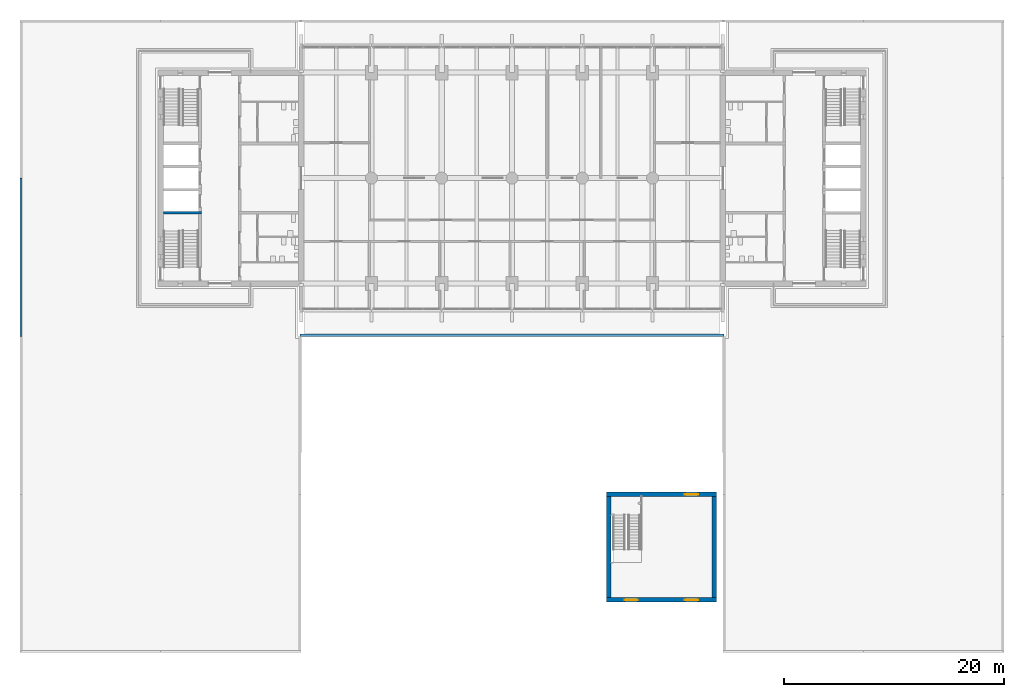
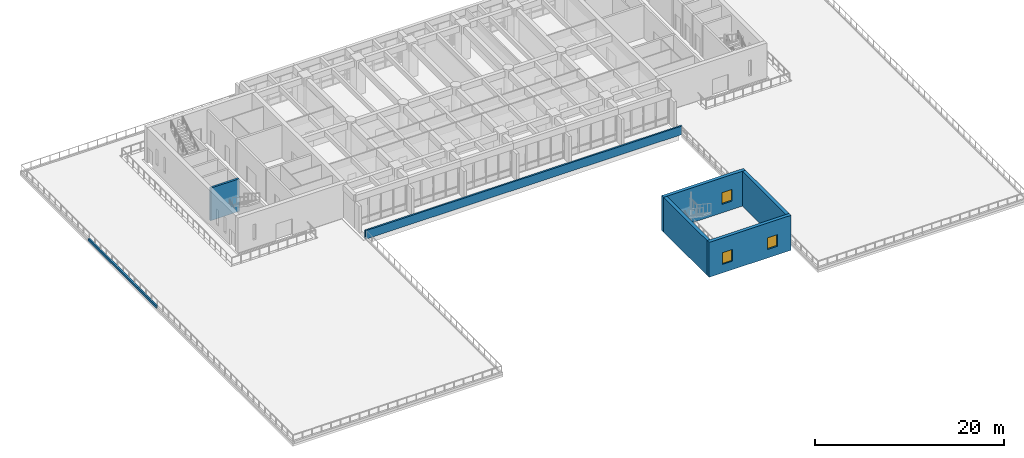
# One storey, part 10 of 21: 7 walls, 3 windows, 3 openings.
"""IFC4 building model written with IfcOpenShell, lengths in metres."""

from ifc_helpers import new_model, si_unit, direction, frame, frame_2d, origin, place, context, subcontext, project, spatial, rectangle, extrude, material, layer, layer_set, type_object, element, fill, save


model = new_model("IFC4")

# Units and contexts
model_context = context("Model", 3, precision=1e-05, world=origin(), true_north=direction((0.0, 1.0)))
body_context = subcontext(model_context, "Body", "Model", "MODEL_VIEW")
ifc_project = project(units=[si_unit("LENGTHUNIT", "METRE"), si_unit("AREAUNIT", "SQUARE_METRE"), si_unit("VOLUMEUNIT", "CUBIC_METRE"), si_unit("PLANEANGLEUNIT", "RADIAN"), si_unit("MASSUNIT", "GRAM", prefix="KILO")], contexts=[model_context])

# Site, building, storey
site_placement = place(None, origin())
site = spatial("IfcSite", under=ifc_project, at=site_placement, CompositionType="ELEMENT")
building_placement = place(site_placement, origin())
building = spatial("IfcBuilding", under=site, at=building_placement, Name="Fogon Plaza Fire Station and Headquarters Tower", CompositionType="ELEMENT")
storey_placement = place(building_placement, frame((0.0, 0.0, 8.39990234375)))
storey = spatial("IfcBuildingStorey", under=building, at=storey_placement, Name="L02", CompositionType="ELEMENT", Elevation=8.39990234375)

# Walls
ifc_material_1 = material(Name="Concrete C40", Category="concrete")
ifc_layer_1 = layer(ifc_material_1, 0.25)
ifc_layer_set_1 = layer_set([ifc_layer_1], Name="Concrete C40")
wall_type_1 = type_object("IfcWallType", Name="Core Wall RC 250", PredefinedType="SOLIDWALL", material=ifc_layer_set_1)
wall_1_placement = place(storey_placement, frame((13.050048828125, 40.050048828125, 0.0), z_axis=(0.0, 0.0, 1.0), x_axis=(1.0, 0.0, 0.0)))
element("IfcWall", 1, at=wall_1_placement, inside=storey, type_object=wall_type_1, Name="Core A shaft wall", PredefinedType="SOLIDWALL", context=body_context, shape_type="SweptSolid", body=[
    extrude(rectangle(XDim=3.474853515625, YDim=0.25, at=frame_2d((1.7373046875, 0.0))), origin(), (0.0, 0.0, 1.0), 4.2001953125),
])
ifc_material_2 = material(Name="Concrete C40", Category="concrete")
ifc_layer_2 = layer(ifc_material_2, 0.199951171875)
ifc_layer_set_2 = layer_set([ifc_layer_2], Name="Concrete C40")
wall_type_2 = type_object("IfcWallType", Name="Fair-faced RC Parapet 200", PredefinedType="PARAPET", material=ifc_layer_set_2)
wall_2_placement = place(storey_placement, frame((25.5, 28.89990234375, 0.0), z_axis=(0.0, 0.0, 1.0), x_axis=(1.0, 0.0, 0.0)))
element("IfcWall", 2, at=wall_2_placement, inside=storey, type_object=wall_type_2, Name="Parapet S", PredefinedType="PARAPET", context=body_context, shape_type="SweptSolid", body=[
    extrude(rectangle(XDim=38.60009765625, YDim=0.199951171875, at=frame_2d((19.300048828125, 0.0))), origin(), (0.0, 0.0, 1.0), 1.10009765625),
])

# Wall, opening, window
ifc_material_3 = material(Name="Concrete C40", Category="concrete")
ifc_layer_3 = layer(ifc_material_3, 0.39990234375)
ifc_layer_set_3 = layer_set([ifc_layer_3], Name="Concrete C40")
wall_type_3 = type_object("IfcWallType", Name="Shear wall 400 DW40", PredefinedType="SHEAR", material=ifc_layer_set_3)
wall_3_placement = place(storey_placement, frame((53.39990234375, 14.39990234375, 0.0), z_axis=(0.0, 0.0, 1.0), x_axis=(1.0, 0.0, 0.0)))
wall_3 = element("IfcWall", 3, at=wall_3_placement, inside=storey, type_object=wall_type_3, Name="wall-drill-N-L02", PredefinedType="SHEAR", context=body_context, shape_type="SweptSolid", body=[
    extrude(rectangle(XDim=10.0, YDim=0.39990234375, at=frame_2d((5.0, 0.0))), origin(), (0.0, 0.0, 1.0), 4.5),
])
opening_1_placement = place(wall_3_placement, frame((7.14990234375, 0.0, 1.10009765625)))
opening_1 = element("IfcOpeningElement", 4, at=opening_1_placement, cuts=wall_3, Name="Opening WT1", PredefinedType="OPENING", context=body_context, shape_type="SweptSolid", body=[
    extrude(rectangle(XDim=1.199951171875, YDim=1.5, at=frame_2d((0.60009765625, 0.75))), frame((0.0, 0.2099609375, 0.0), z_axis=(0.0, -1.0, 0.0), x_axis=(1.0, 0.0, 0.0)), (0.0, 0.0, 1.0), 0.419921875),
])
ifc_material_4 = material(Name="Galvanised steel framed glazing with grille", Category="steel")
window_type = type_object("IfcWindowType", Name="Training Opening WT1 1200x1500", PartitioningType="SINGLE_PANEL", PredefinedType="WINDOW", material=ifc_material_4)
window_1_placement = place(opening_1_placement, origin())
window_1 = element("IfcWindow", 5, at=window_1_placement, inside=storey, type_object=window_type, Name="Training opening N L02", OverallHeight=1.5, OverallWidth=1.199951171875, PartitioningType="SINGLE_PANEL", PredefinedType="WINDOW", context=body_context, shape_type="SweptSolid", body=[
    extrude(rectangle(XDim=1.199951171875, YDim=1.5, at=frame_2d((0.60009765625, 0.75))), frame((0.0, 0.030029296875, 0.0), z_axis=(0.0, -1.0, 0.0), x_axis=(1.0, 0.0, 0.0)), (0.0, 0.0, 1.0), 0.06005859375),
])
fill(opening_1, window_1)

# Wall, openings, windows
wall_4_placement = place(storey_placement, frame((53.39990234375, 4.800048828125, 0.0), z_axis=(0.0, 0.0, 1.0), x_axis=(1.0, 0.0, 0.0)))
wall_4 = element("IfcWall", 6, at=wall_4_placement, inside=storey, type_object=wall_type_3, Name="wall-drill-S-L02", PredefinedType="SHEAR", context=body_context, shape_type="SweptSolid", body=[
    extrude(rectangle(XDim=10.0, YDim=0.39990234375, at=frame_2d((5.0, 0.0))), origin(), (0.0, 0.0, 1.0), 4.5),
])
opening_2_placement = place(wall_4_placement, frame((1.64990234375, 0.0, 1.10009765625)))
opening_2 = element("IfcOpeningElement", 7, at=opening_2_placement, cuts=wall_4, Name="Opening WT1", PredefinedType="OPENING", context=body_context, shape_type="SweptSolid", body=[
    extrude(rectangle(XDim=1.199951171875, YDim=1.5, at=frame_2d((0.60009765625, 0.75))), frame((0.0, 0.2099609375, 0.0), z_axis=(0.0, -1.0, 0.0), x_axis=(1.0, 0.0, 0.0)), (0.0, 0.0, 1.0), 0.419921875),
])
opening_3_placement = place(wall_4_placement, frame((7.14990234375, 0.0, 1.10009765625)))
opening_3 = element("IfcOpeningElement", 8, at=opening_3_placement, cuts=wall_4, Name="Opening WT1", PredefinedType="OPENING", context=body_context, shape_type="SweptSolid", body=[
    extrude(rectangle(XDim=1.199951171875, YDim=1.5, at=frame_2d((0.60009765625, 0.75))), frame((0.0, 0.2099609375, 0.0), z_axis=(0.0, -1.0, 0.0), x_axis=(1.0, 0.0, 0.0)), (0.0, 0.0, 1.0), 0.419921875),
])
window_2_placement = place(opening_2_placement, origin())
window_2 = element("IfcWindow", 9, at=window_2_placement, inside=storey, type_object=window_type, Name="Training opening S L02", OverallHeight=1.5, OverallWidth=1.199951171875, PartitioningType="SINGLE_PANEL", PredefinedType="WINDOW", context=body_context, shape_type="SweptSolid", body=[
    extrude(rectangle(XDim=1.199951171875, YDim=1.5, at=frame_2d((0.60009765625, 0.75))), frame((0.0, 0.030029296875, 0.0), z_axis=(0.0, -1.0, 0.0), x_axis=(1.0, 0.0, 0.0)), (0.0, 0.0, 1.0), 0.06005859375),
])
fill(opening_2, window_2)
window_3_placement = place(opening_3_placement, origin())
window_3 = element("IfcWindow", 10, at=window_3_placement, inside=storey, type_object=window_type, Name="Training opening S L02", OverallHeight=1.5, OverallWidth=1.199951171875, PartitioningType="SINGLE_PANEL", PredefinedType="WINDOW", context=body_context, shape_type="SweptSolid", body=[
    extrude(rectangle(XDim=1.199951171875, YDim=1.5, at=frame_2d((0.60009765625, 0.75))), frame((0.0, 0.030029296875, 0.0), z_axis=(0.0, -1.0, 0.0), x_axis=(1.0, 0.0, 0.0)), (0.0, 0.0, 1.0), 0.06005859375),
])
fill(opening_3, window_3)

# Walls
for number, where, z_axis, x_axis, name in (
    (11, (63.199951171875, 5.0, 0.0), (0.0, 0.0, 1.0), (0.0, 1.0, 0.0), "wall-drill-E-L02"),
    (12, (53.60009765625, 5.0, 0.0), (0.0, 0.0, 1.0), (0.0, 1.0, 0.0), "wall-drill-W-L02"),
):
    element("IfcWall", number, at=place(storey_placement, frame(where, z_axis=z_axis, x_axis=x_axis)), inside=storey, type_object=wall_type_3, Name=name, PredefinedType="SHEAR", context=body_context, shape_type="SweptSolid", body=[
        extrude(rectangle(XDim=9.199951171875, YDim=0.39990234375, at=frame_2d((4.60009765625, 0.0))), origin(), (0.0, 0.0, 1.0), 4.5),
    ])
ifc_material_5 = material(Name="Concrete C40", Category="concrete")
ifc_layer_4 = layer(ifc_material_5, 0.199951171875)
ifc_layer_set_4 = layer_set([ifc_layer_4], Name="Concrete C40")
wall_type_4 = type_object("IfcWallType", Name="Upstand Kerb RC 200x300", PredefinedType="PARAPET", material=ifc_layer_set_4)
wall_5_placement = place(storey_placement, frame((0.10009765625, 28.800048828125, 0.0), z_axis=(0.0, 0.0, 1.0), x_axis=(0.0, 1.0, 0.0)))
element("IfcWall", 13, at=wall_5_placement, inside=storey, type_object=wall_type_4, Name="wall-L02-UKW007", PredefinedType="PARAPET", context=body_context, shape_type="SweptSolid", body=[
    extrude(rectangle(XDim=14.39990234375, YDim=0.199951171875, at=frame_2d((7.199951171875, 0.0))), origin(), (0.0, 0.0, 1.0), 0.300048828125),
])

save(model, "model.ifc")
